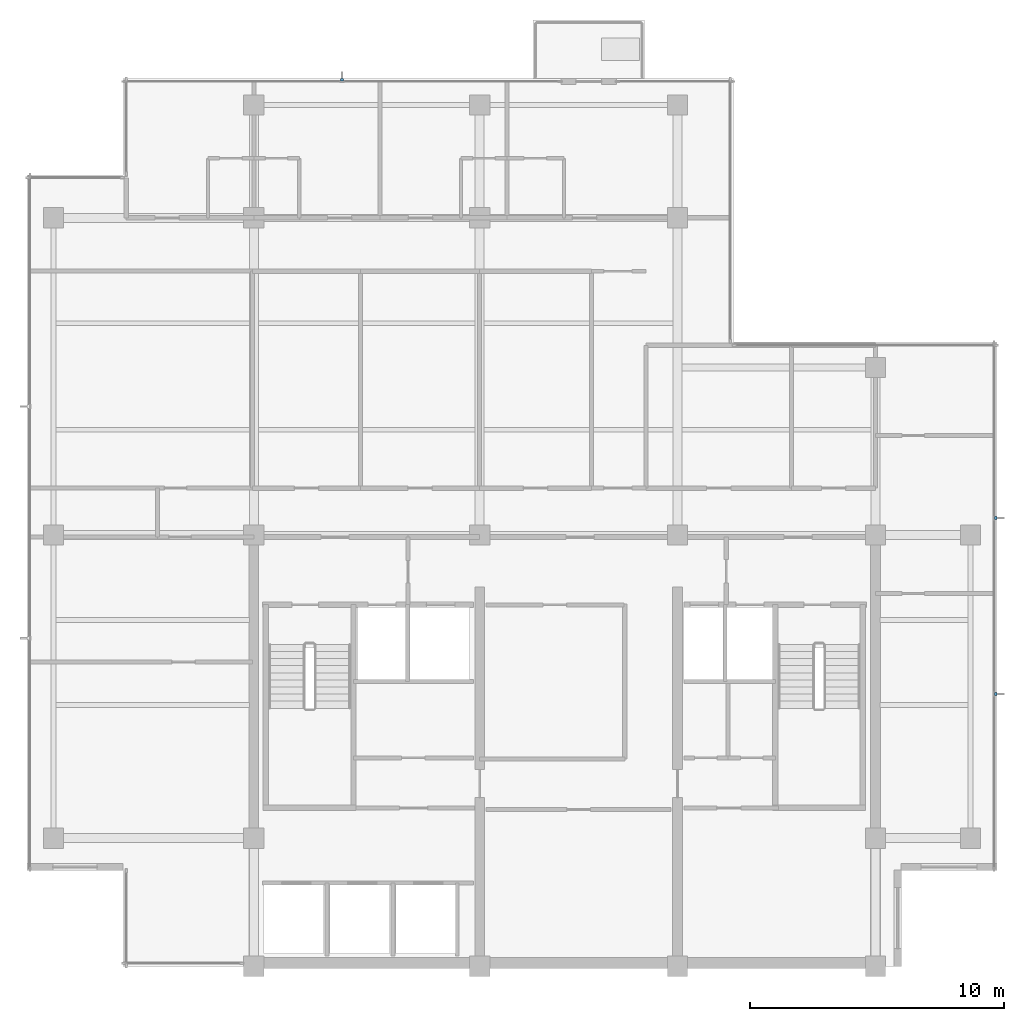
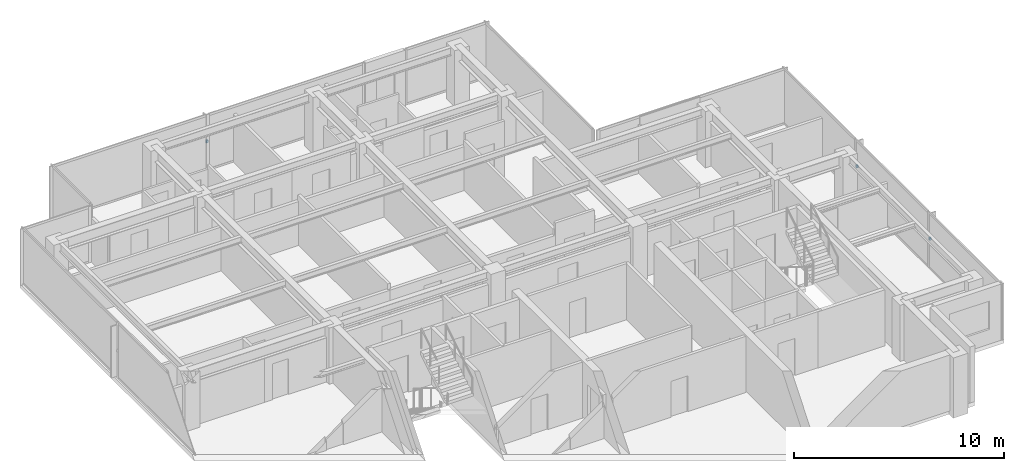
# One storey, part 10 of 11: 3 discrete accessories.
"""IFC4 building model written with IfcOpenShell, lengths in metres."""

from ifc_helpers import new_model, si_unit, direction, frame, origin, place, context, subcontext, project, spatial, polyline, outline, extrude, material, type_object, element, save


model = new_model("IFC4")

# Units and contexts
model_context = context("Model", 3, precision=1e-05, world=origin(), true_north=direction((0.0, 1.0)))
body_context = subcontext(model_context, "Body", "Model", "MODEL_VIEW")
ifc_project = project(units=[si_unit("LENGTHUNIT", "METRE"), si_unit("AREAUNIT", "SQUARE_METRE"), si_unit("VOLUMEUNIT", "CUBIC_METRE"), si_unit("PLANEANGLEUNIT", "RADIAN"), si_unit("MASSUNIT", "GRAM", prefix="KILO")], contexts=[model_context])

# Site, building, storey
site_placement = place(None, origin())
site = spatial("IfcSite", under=ifc_project, at=site_placement, CompositionType="ELEMENT")
building_placement = place(site_placement, origin())
building = spatial("IfcBuilding", under=site, at=building_placement, Name="Qalmaran Belvedere Hotel", CompositionType="ELEMENT")
storey_placement = place(building_placement, frame((0.0, 0.0, 259.89990234375)))
storey = spatial("IfcBuildingStorey", under=building, at=storey_placement, Name="L67", CompositionType="ELEMENT", Elevation=259.89990234375)

# Discrete accessories
ifc_material = material(Name="Stainless Steel 1.4401", Category="steel")
discrete_accessory_type = type_object("IfcDiscreteAccessoryType", Name="BRK-FIN-SS316", PredefinedType="BRACKET", material=ifc_material)
discrete_accessory_1_placement = place(storey_placement, frame((0.0, 0.0, 1.580078125)))
element("IfcDiscreteAccessory", 1, at=discrete_accessory_1_placement, inside=storey, type_object=discrete_accessory_type, Name="L67 Fin Bracket 1", PredefinedType="BRACKET", context=body_context, shape_type="SweptSolid", body=[
    extrude(outline(polyline([(49.4951171875, 14.17822265625), (49.58740234375, 14.17822265625), (49.58740234375, 14.288330078125), (49.4951171875, 14.288330078125), (49.4951171875, 14.17822265625)])), origin(), (0.0, 0.0, 1.0), 0.14013671875),
])
discrete_accessory_2_placement = place(storey_placement, frame((0.0, 0.0, 1.580078125)))
element("IfcDiscreteAccessory", 2, at=discrete_accessory_2_placement, inside=storey, type_object=discrete_accessory_type, Name="L67 Fin Bracket 2", PredefinedType="BRACKET", context=body_context, shape_type="SweptSolid", body=[
    extrude(outline(polyline([(49.4951171875, 21.11181640625), (49.58740234375, 21.11181640625), (49.58740234375, 21.2216796875), (49.4951171875, 21.2216796875), (49.4951171875, 21.11181640625)])), origin(), (0.0, 0.0, 1.0), 0.14013671875),
])
discrete_accessory_3_placement = place(storey_placement, frame((0.0, 0.0, 1.580078125)))
element("IfcDiscreteAccessory", 3, at=discrete_accessory_3_placement, inside=storey, type_object=discrete_accessory_type, Name="L67 Fin Bracket 1", PredefinedType="BRACKET", context=body_context, shape_type="SweptSolid", body=[
    extrude(outline(polyline([(23.830078125, 38.39501953125), (23.830078125, 38.487548828125), (23.719970703125, 38.487548828125), (23.719970703125, 38.39501953125), (23.830078125, 38.39501953125)])), origin(), (0.0, 0.0, 1.0), 0.14013671875),
])

save(model, "model.ifc")
